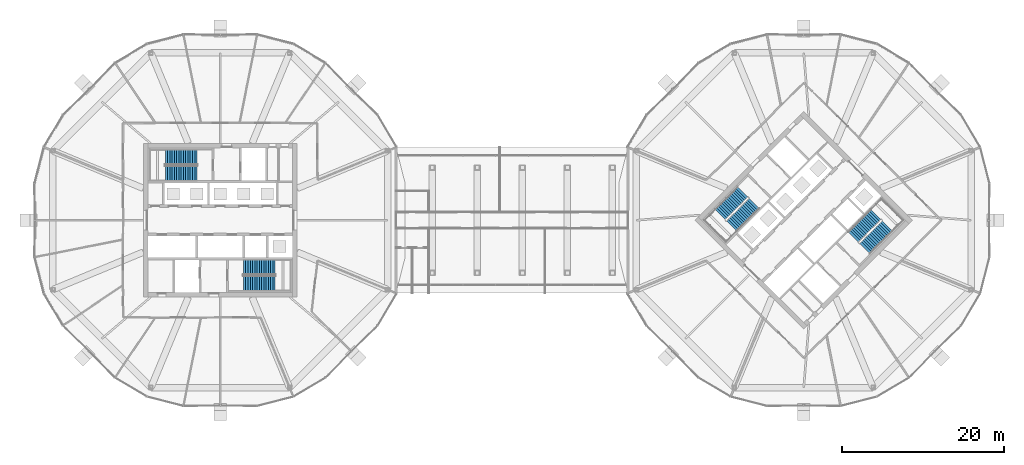
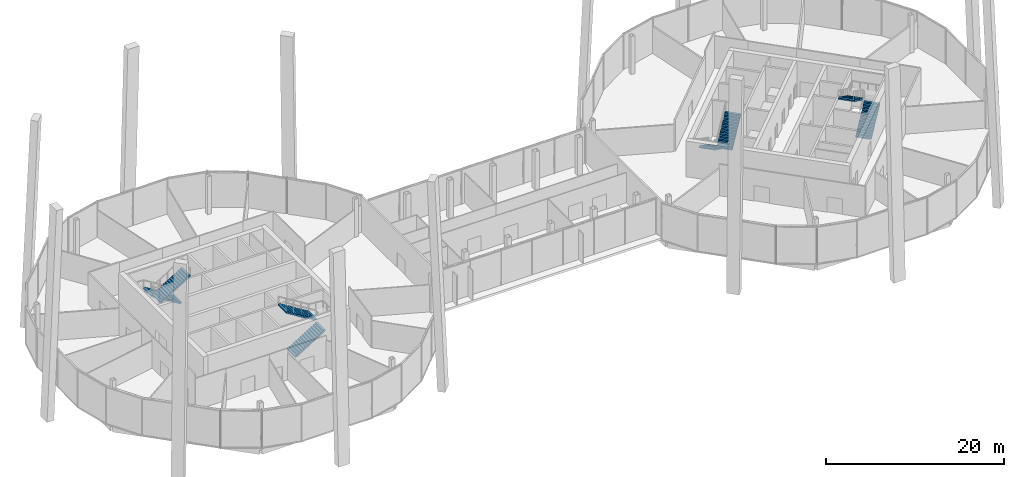
# One storey, part 25 of 28: 8 stair flights, 4 elements without a shape of their own.
"""IFC4 building model written with IfcOpenShell, lengths in metres."""

from ifc_helpers import new_model, si_unit, direction, frame, origin, place, context, subcontext, project, spatial, polyline, outline, extrude, material, type_object, element, aggregate, save


model = new_model("IFC4")

# Units and contexts
model_context = context("Model", 3, precision=1e-05, world=origin(), true_north=direction((0.0, 1.0)))
body_context = subcontext(model_context, "Body", "Model", "MODEL_VIEW")
ifc_project = project(units=[si_unit("LENGTHUNIT", "METRE"), si_unit("AREAUNIT", "SQUARE_METRE"), si_unit("VOLUMEUNIT", "CUBIC_METRE"), si_unit("PLANEANGLEUNIT", "RADIAN"), si_unit("MASSUNIT", "GRAM", prefix="KILO")], contexts=[model_context])

# Site, building, storey
site_placement = place(None, origin())
site = spatial("IfcSite", under=ifc_project, at=site_placement, CompositionType="ELEMENT")
building_placement = place(site_placement, origin())
building = spatial("IfcBuilding", under=site, at=building_placement, Name="Ogive Gate Towers", CompositionType="ELEMENT")
storey_placement = place(building_placement, frame((0.0, 0.0, 135.60009765625)))
storey = spatial("IfcBuildingStorey", under=building, at=storey_placement, Name="L32", CompositionType="ELEMENT", Elevation=135.60009765625)

# Stair, stair flights
ifc_material = material(Name="Concrete C40/50", Category="concrete")
stair_type = type_object("IfcStairType", Name="Escape stair 1840 wide", PredefinedType="HALF_TURN_STAIR", material=ifc_material)
stair_1_placement = place(storey_placement, origin())
stair_1 = element("IfcStair", 1, at=stair_1_placement, inside=storey, type_object=stair_type, Name="L32 Escape stair 1", PredefinedType="HALF_TURN_STAIR")
stair_flight_type = type_object("IfcStairFlightType", Name="Stair flight 1840 wide", PredefinedType="STRAIGHT", material=ifc_material)
stair_flight_1_placement = place(storey_placement, frame((-38.864990234375, 7.780029296875, 0.0), z_axis=(0.0, 0.0, 1.0), x_axis=(-1.0, 0.0, 0.0)))
stair_flight_1 = element("IfcStairFlight", 2, at=stair_flight_1_placement, type_object=stair_flight_type, Name="ST1 flight 1", NumberOfRisers=15, NumberOfTreads=14, PredefinedType="STRAIGHT", RiserHeight=0.173333333, TreadLength=0.28, context=body_context, shape_type="SweptSolid", body=[
    extrude(outline(polyline([(0.0, 0.0), (0.0, 0.17333984375), (0.280029296875, 0.17333984375), (0.280029296875, 0.3466796875), (0.56005859375, 0.3466796875), (0.56005859375, 0.52001953125), (0.840087890625, 0.52001953125), (0.840087890625, 0.693359375), (1.1201171875, 0.693359375), (1.1201171875, 0.86669921875), (1.39990234375, 0.86669921875), (1.39990234375, 1.0400390625), (1.679931640625, 1.0400390625), (1.679931640625, 1.21337890625), (1.9599609375, 1.21337890625), (1.9599609375, 1.38671875), (2.239990234375, 1.38671875), (2.239990234375, 1.56005859375), (2.52001953125, 1.56005859375), (2.52001953125, 1.7333984375), (2.800048828125, 1.7333984375), (2.800048828125, 1.90673828125), (3.080078125, 1.90673828125), (3.080078125, 2.080078125), (3.360107421875, 2.080078125), (3.360107421875, 2.25341796875), (3.639892578125, 2.25341796875), (3.639892578125, 2.4267578125), (3.919921875, 2.4267578125), (3.919921875, 2.60009765625), (3.919921875, 2.250244140625), (0.284912109375, 0.0), (0.0, 0.0)])), frame((0.0, 0.919921875, 0.0), z_axis=(0.0, -1.0, 0.0), x_axis=(1.0, 0.0, 0.0)), (0.0, 0.0, 1.0), 1.840087890625),
])
stair_flight_2_placement = place(storey_placement, frame((-42.784912109375, 5.794921875, 2.599853515625), z_axis=(0.0, 0.0, 1.0), x_axis=(1.0, 0.0, 0.0)))
stair_flight_2 = element("IfcStairFlight", 3, at=stair_flight_2_placement, type_object=stair_flight_type, Name="ST1 flight 2", NumberOfRisers=15, NumberOfTreads=14, PredefinedType="STRAIGHT", RiserHeight=0.173333333, TreadLength=0.28, context=body_context, shape_type="SweptSolid", body=[
    extrude(outline(polyline([(0.0, 0.0), (0.0, 0.17333984375), (0.280029296875, 0.17333984375), (0.280029296875, 0.3466796875), (0.56005859375, 0.3466796875), (0.56005859375, 0.52001953125), (0.840087890625, 0.52001953125), (0.840087890625, 0.693359375), (1.1201171875, 0.693359375), (1.1201171875, 0.86669921875), (1.39990234375, 0.86669921875), (1.39990234375, 1.0400390625), (1.679931640625, 1.0400390625), (1.679931640625, 1.21337890625), (1.9599609375, 1.21337890625), (1.9599609375, 1.38671875), (2.239990234375, 1.38671875), (2.239990234375, 1.56005859375), (2.52001953125, 1.56005859375), (2.52001953125, 1.7333984375), (2.800048828125, 1.7333984375), (2.800048828125, 1.90673828125), (3.080078125, 1.90673828125), (3.080078125, 2.080078125), (3.360107421875, 2.080078125), (3.360107421875, 2.25341796875), (3.639892578125, 2.25341796875), (3.639892578125, 2.4267578125), (3.919921875, 2.4267578125), (3.919921875, 2.60009765625), (3.919921875, 2.250244140625), (0.284912109375, 0.0), (0.0, 0.0)])), frame((0.0, 0.919921875, 0.0), z_axis=(0.0, -1.0, 0.0), x_axis=(1.0, 0.0, 0.0)), (0.0, 0.0, 1.0), 1.840087890625),
])
aggregate(stair_1, [stair_flight_1, stair_flight_2])

stair_2_placement = place(storey_placement, origin())
stair_2 = element("IfcStair", 4, at=stair_2_placement, inside=storey, type_object=stair_type, Name="L32 Escape stair 2", PredefinedType="HALF_TURN_STAIR")
stair_flight_3_placement = place(storey_placement, frame((-33.135009765625, -7.780029296875, 0.0), z_axis=(0.0, 0.0, 1.0), x_axis=(1.0, 0.0, 0.0)))
stair_flight_3 = element("IfcStairFlight", 5, at=stair_flight_3_placement, type_object=stair_flight_type, Name="ST2 flight 1", NumberOfRisers=15, NumberOfTreads=14, PredefinedType="STRAIGHT", RiserHeight=0.173333333, TreadLength=0.28, context=body_context, shape_type="SweptSolid", body=[
    extrude(outline(polyline([(0.0, 0.0), (0.0, 0.17333984375), (0.280029296875, 0.17333984375), (0.280029296875, 0.3466796875), (0.56005859375, 0.3466796875), (0.56005859375, 0.52001953125), (0.840087890625, 0.52001953125), (0.840087890625, 0.693359375), (1.1201171875, 0.693359375), (1.1201171875, 0.86669921875), (1.39990234375, 0.86669921875), (1.39990234375, 1.0400390625), (1.679931640625, 1.0400390625), (1.679931640625, 1.21337890625), (1.9599609375, 1.21337890625), (1.9599609375, 1.38671875), (2.239990234375, 1.38671875), (2.239990234375, 1.56005859375), (2.52001953125, 1.56005859375), (2.52001953125, 1.7333984375), (2.800048828125, 1.7333984375), (2.800048828125, 1.90673828125), (3.080078125, 1.90673828125), (3.080078125, 2.080078125), (3.360107421875, 2.080078125), (3.360107421875, 2.25341796875), (3.639892578125, 2.25341796875), (3.639892578125, 2.4267578125), (3.919921875, 2.4267578125), (3.919921875, 2.60009765625), (3.919921875, 2.250244140625), (0.284912109375, 0.0), (0.0, 0.0)])), frame((0.0, 0.919921875, 0.0), z_axis=(0.0, -1.0, 0.0), x_axis=(1.0, 0.0, 0.0)), (0.0, 0.0, 1.0), 1.840087890625),
])
stair_flight_4_placement = place(storey_placement, frame((-29.215087890625, -5.794921875, 2.599853515625), z_axis=(0.0, 0.0, 1.0), x_axis=(-1.0, 0.0, 0.0)))
stair_flight_4 = element("IfcStairFlight", 6, at=stair_flight_4_placement, type_object=stair_flight_type, Name="ST2 flight 2", NumberOfRisers=15, NumberOfTreads=14, PredefinedType="STRAIGHT", RiserHeight=0.173333333, TreadLength=0.28, context=body_context, shape_type="SweptSolid", body=[
    extrude(outline(polyline([(0.0, 0.0), (0.0, 0.17333984375), (0.280029296875, 0.17333984375), (0.280029296875, 0.3466796875), (0.56005859375, 0.3466796875), (0.56005859375, 0.52001953125), (0.840087890625, 0.52001953125), (0.840087890625, 0.693359375), (1.1201171875, 0.693359375), (1.1201171875, 0.86669921875), (1.39990234375, 0.86669921875), (1.39990234375, 1.0400390625), (1.679931640625, 1.0400390625), (1.679931640625, 1.21337890625), (1.9599609375, 1.21337890625), (1.9599609375, 1.38671875), (2.239990234375, 1.38671875), (2.239990234375, 1.56005859375), (2.52001953125, 1.56005859375), (2.52001953125, 1.7333984375), (2.800048828125, 1.7333984375), (2.800048828125, 1.90673828125), (3.080078125, 1.90673828125), (3.080078125, 2.080078125), (3.360107421875, 2.080078125), (3.360107421875, 2.25341796875), (3.639892578125, 2.25341796875), (3.639892578125, 2.4267578125), (3.919921875, 2.4267578125), (3.919921875, 2.60009765625), (3.919921875, 2.250244140625), (0.284912109375, 0.0), (0.0, 0.0)])), frame((0.0, 0.919921875, 0.0), z_axis=(0.0, -1.0, 0.0), x_axis=(1.0, 0.0, 0.0)), (0.0, 0.0, 1.0), 1.840087890625),
])
aggregate(stair_2, [stair_flight_3, stair_flight_4])

stair_3_placement = place(storey_placement, origin())
stair_3 = element("IfcStair", 7, at=stair_3_placement, inside=storey, type_object=stair_type, Name="L32 Escape stair 1", PredefinedType="HALF_TURN_STAIR")
stair_flight_5_placement = place(storey_placement, frame((28.472900390625, 3.475341796875, 0.0), z_axis=(0.0, 0.0, 1.0), x_axis=(-0.707106781187, -0.707106781187, 0.0)))
stair_flight_5 = element("IfcStairFlight", 8, at=stair_flight_5_placement, type_object=stair_flight_type, Name="ST1 flight 1", NumberOfRisers=15, NumberOfTreads=14, PredefinedType="STRAIGHT", RiserHeight=0.173333333, TreadLength=0.28, context=body_context, shape_type="SweptSolid", body=[
    extrude(outline(polyline([(0.0, 0.0), (0.0, 0.17333984375), (0.280029296875, 0.17333984375), (0.280029296875, 0.3466796875), (0.56005859375, 0.3466796875), (0.56005859375, 0.52001953125), (0.840087890625, 0.52001953125), (0.840087890625, 0.693359375), (1.1201171875, 0.693359375), (1.1201171875, 0.86669921875), (1.39990234375, 0.86669921875), (1.39990234375, 1.0400390625), (1.679931640625, 1.0400390625), (1.679931640625, 1.21337890625), (1.9599609375, 1.21337890625), (1.9599609375, 1.38671875), (2.239990234375, 1.38671875), (2.239990234375, 1.56005859375), (2.52001953125, 1.56005859375), (2.52001953125, 1.7333984375), (2.800048828125, 1.7333984375), (2.800048828125, 1.90673828125), (3.080078125, 1.90673828125), (3.080078125, 2.080078125), (3.360107421875, 2.080078125), (3.360107421875, 2.25341796875), (3.639892578125, 2.25341796875), (3.639892578125, 2.4267578125), (3.919921875, 2.4267578125), (3.919921875, 2.60009765625), (3.919921875, 2.250244140625), (0.284912109375, 0.0), (0.0, 0.0)])), frame((0.0, 0.919921875, 0.0), z_axis=(0.0, -1.0, 0.0), x_axis=(1.0, 0.0, 0.0)), (0.0, 0.0, 1.0), 1.840087890625),
])
stair_flight_6_placement = place(storey_placement, frame((27.1044921875, -0.699951171875, 2.599853515625), z_axis=(0.0, 0.0, 1.0), x_axis=(0.707106781187, 0.707106781187, 0.0)))
stair_flight_6 = element("IfcStairFlight", 9, at=stair_flight_6_placement, type_object=stair_flight_type, Name="ST1 flight 2", NumberOfRisers=15, NumberOfTreads=14, PredefinedType="STRAIGHT", RiserHeight=0.173333333, TreadLength=0.28, context=body_context, shape_type="SweptSolid", body=[
    extrude(outline(polyline([(0.0, 0.0), (0.0, 0.17333984375), (0.280029296875, 0.17333984375), (0.280029296875, 0.3466796875), (0.56005859375, 0.3466796875), (0.56005859375, 0.52001953125), (0.840087890625, 0.52001953125), (0.840087890625, 0.693359375), (1.1201171875, 0.693359375), (1.1201171875, 0.86669921875), (1.39990234375, 0.86669921875), (1.39990234375, 1.0400390625), (1.679931640625, 1.0400390625), (1.679931640625, 1.21337890625), (1.9599609375, 1.21337890625), (1.9599609375, 1.38671875), (2.239990234375, 1.38671875), (2.239990234375, 1.56005859375), (2.52001953125, 1.56005859375), (2.52001953125, 1.7333984375), (2.800048828125, 1.7333984375), (2.800048828125, 1.90673828125), (3.080078125, 1.90673828125), (3.080078125, 2.080078125), (3.360107421875, 2.080078125), (3.360107421875, 2.25341796875), (3.639892578125, 2.25341796875), (3.639892578125, 2.4267578125), (3.919921875, 2.4267578125), (3.919921875, 2.60009765625), (3.919921875, 2.250244140625), (0.284912109375, 0.0), (0.0, 0.0)])), frame((0.0, 0.919921875, 0.0), z_axis=(0.0, -1.0, 0.0), x_axis=(1.0, 0.0, 0.0)), (0.0, 0.0, 1.0), 1.840087890625),
])
aggregate(stair_3, [stair_flight_5, stair_flight_6])

stair_4_placement = place(storey_placement, origin())
stair_4 = element("IfcStair", 10, at=stair_4_placement, inside=storey, type_object=stair_type, Name="L32 Escape stair 2", PredefinedType="HALF_TURN_STAIR")
stair_flight_7_placement = place(storey_placement, frame((43.527099609375, -3.475341796875, 0.0), z_axis=(0.0, 0.0, 1.0), x_axis=(0.707106781187, 0.707106781187, 0.0)))
stair_flight_7 = element("IfcStairFlight", 11, at=stair_flight_7_placement, type_object=stair_flight_type, Name="ST2 flight 1", NumberOfRisers=15, NumberOfTreads=14, PredefinedType="STRAIGHT", RiserHeight=0.173333333, TreadLength=0.28, context=body_context, shape_type="SweptSolid", body=[
    extrude(outline(polyline([(0.0, 0.0), (0.0, 0.17333984375), (0.280029296875, 0.17333984375), (0.280029296875, 0.3466796875), (0.56005859375, 0.3466796875), (0.56005859375, 0.52001953125), (0.840087890625, 0.52001953125), (0.840087890625, 0.693359375), (1.1201171875, 0.693359375), (1.1201171875, 0.86669921875), (1.39990234375, 0.86669921875), (1.39990234375, 1.0400390625), (1.679931640625, 1.0400390625), (1.679931640625, 1.21337890625), (1.9599609375, 1.21337890625), (1.9599609375, 1.38671875), (2.239990234375, 1.38671875), (2.239990234375, 1.56005859375), (2.52001953125, 1.56005859375), (2.52001953125, 1.7333984375), (2.800048828125, 1.7333984375), (2.800048828125, 1.90673828125), (3.080078125, 1.90673828125), (3.080078125, 2.080078125), (3.360107421875, 2.080078125), (3.360107421875, 2.25341796875), (3.639892578125, 2.25341796875), (3.639892578125, 2.4267578125), (3.919921875, 2.4267578125), (3.919921875, 2.60009765625), (3.919921875, 2.250244140625), (0.284912109375, 0.0), (0.0, 0.0)])), frame((0.0, 0.919921875, 0.0), z_axis=(0.0, -1.0, 0.0), x_axis=(1.0, 0.0, 0.0)), (0.0, 0.0, 1.0), 1.840087890625),
])
stair_flight_8_placement = place(storey_placement, frame((44.8955078125, 0.699951171875, 2.599853515625), z_axis=(0.0, 0.0, 1.0), x_axis=(-0.707106781187, -0.707106781187, 0.0)))
stair_flight_8 = element("IfcStairFlight", 12, at=stair_flight_8_placement, type_object=stair_flight_type, Name="ST2 flight 2", NumberOfRisers=15, NumberOfTreads=14, PredefinedType="STRAIGHT", RiserHeight=0.173333333, TreadLength=0.28, context=body_context, shape_type="SweptSolid", body=[
    extrude(outline(polyline([(0.0, 0.0), (0.0, 0.17333984375), (0.280029296875, 0.17333984375), (0.280029296875, 0.3466796875), (0.56005859375, 0.3466796875), (0.56005859375, 0.52001953125), (0.840087890625, 0.52001953125), (0.840087890625, 0.693359375), (1.1201171875, 0.693359375), (1.1201171875, 0.86669921875), (1.39990234375, 0.86669921875), (1.39990234375, 1.0400390625), (1.679931640625, 1.0400390625), (1.679931640625, 1.21337890625), (1.9599609375, 1.21337890625), (1.9599609375, 1.38671875), (2.239990234375, 1.38671875), (2.239990234375, 1.56005859375), (2.52001953125, 1.56005859375), (2.52001953125, 1.7333984375), (2.800048828125, 1.7333984375), (2.800048828125, 1.90673828125), (3.080078125, 1.90673828125), (3.080078125, 2.080078125), (3.360107421875, 2.080078125), (3.360107421875, 2.25341796875), (3.639892578125, 2.25341796875), (3.639892578125, 2.4267578125), (3.919921875, 2.4267578125), (3.919921875, 2.60009765625), (3.919921875, 2.250244140625), (0.284912109375, 0.0), (0.0, 0.0)])), frame((0.0, 0.919921875, 0.0), z_axis=(0.0, -1.0, 0.0), x_axis=(1.0, 0.0, 0.0)), (0.0, 0.0, 1.0), 1.840087890625),
])
aggregate(stair_4, [stair_flight_7, stair_flight_8])

save(model, "model.ifc")
